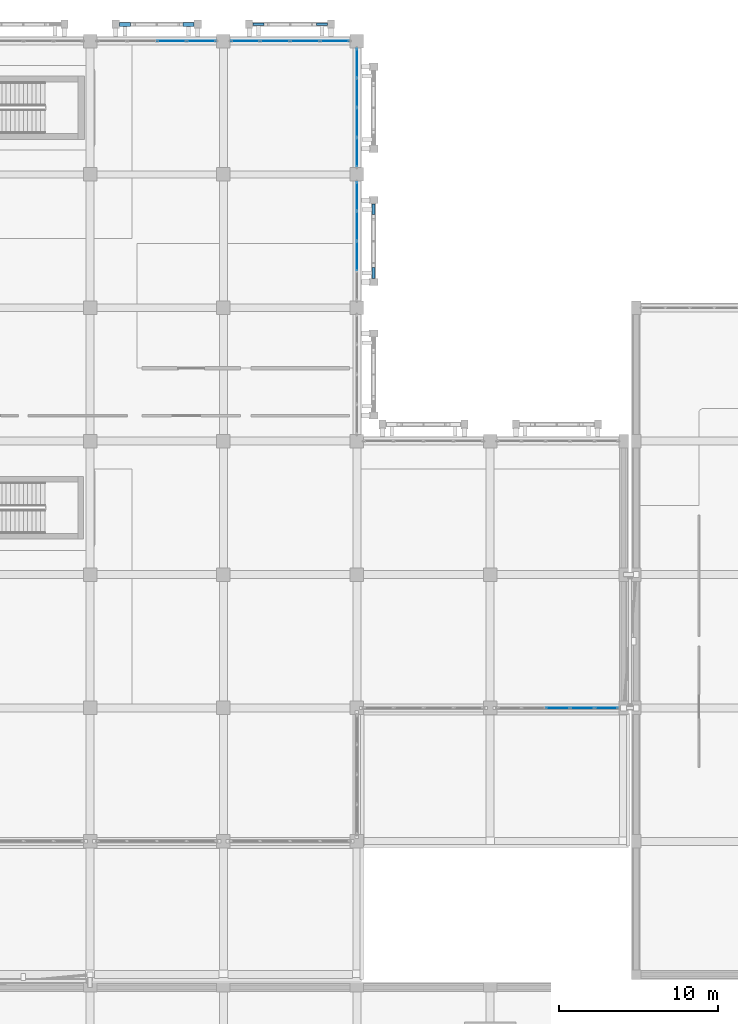
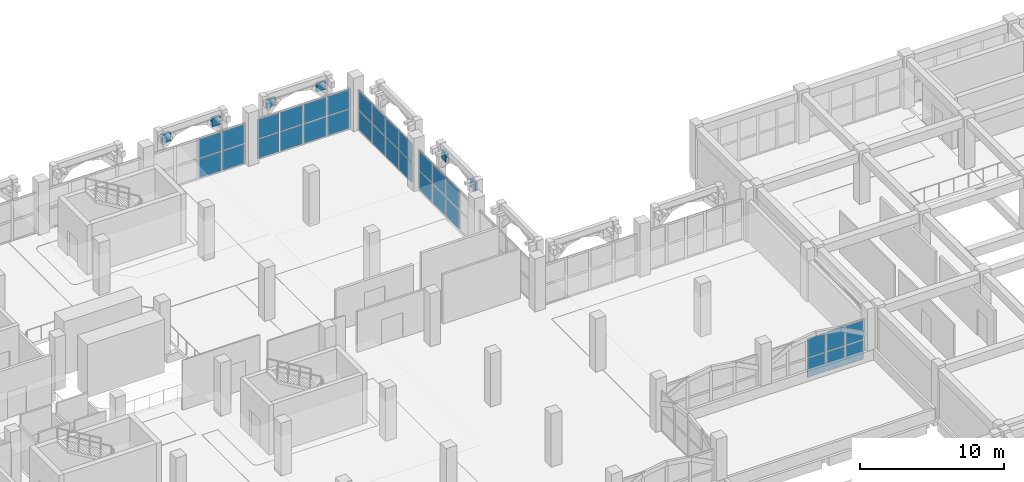
# One storey, part 98 of 129: 38 plates, 5 elements without a shape of their own.
"""IFC4 building model written with IfcOpenShell, lengths in metres."""

from ifc_helpers import new_model, si_unit, direction, frame, origin, origin_2d, place, context, subcontext, project, spatial, rectangle, extrude, material, layer, layer_set, type_object, element, aggregate, save


model = new_model("IFC4")

# Units and contexts
model_context = context("Model", 3, precision=1e-05, world=origin(), true_north=direction((0.0, 1.0)))
body_context = subcontext(model_context, "Body", "Model", "MODEL_VIEW")
ifc_project = project(units=[si_unit("LENGTHUNIT", "METRE"), si_unit("AREAUNIT", "SQUARE_METRE"), si_unit("VOLUMEUNIT", "CUBIC_METRE"), si_unit("PLANEANGLEUNIT", "RADIAN"), si_unit("MASSUNIT", "GRAM", prefix="KILO")], contexts=[model_context])

# Site, building, storey
site_placement = place(None, origin())
site = spatial("IfcSite", under=ifc_project, at=site_placement, CompositionType="ELEMENT")
building_placement = place(site_placement, origin())
building = spatial("IfcBuilding", under=site, at=building_placement, Name="Xazarin Passage Department Store", CompositionType="ELEMENT")
storey_placement = place(building_placement, frame((0.0, 0.0, 9.89990234375)))
storey = spatial("IfcBuildingStorey", under=building, at=storey_placement, Name="L02", CompositionType="ELEMENT", Elevation=9.89990234375)

# Curtain wall, plates
ifc_material_1 = material(Name="Bronze anodised aluminium", Category="aluminium")
ifc_layer_1 = layer(ifc_material_1, 0.199951171875)
ifc_layer_set_1 = layer_set([ifc_layer_1], Name="Bronze anodised aluminium")
curtain_wall_type = type_object("IfcCurtainWallType", Name="ARC-CW-VIT2", PredefinedType="NOTDEFINED", material=ifc_layer_set_1)
curtain_wall_1_placement = place(storey_placement, origin())
curtain_wall_1 = element("IfcCurtainWall", 1, at=curtain_wall_1_placement, inside=storey, type_object=curtain_wall_type, Name="L02 V1 Curtain Wall 036", PredefinedType="NOTDEFINED")
ifc_material_2 = material(Name="Low-E laminated safety glass", Category="glass")
ifc_layer_2 = layer(ifc_material_2, 0.031982421875)
ifc_layer_set_2 = layer_set([ifc_layer_2], Name="Low-E laminated safety glass")
plate_type_1 = type_object("IfcPlateType", Name="ARC-CWP-GLZ32", PredefinedType="CURTAIN_PANEL", material=ifc_layer_set_2)
plate_1_placement = place(storey_placement, frame((63.0625, 68.0, 0.0751953125), z_axis=(0.0, 0.0, 1.0), x_axis=(1.0, 0.0, 0.0)))
plate_1 = element("IfcPlate", 2, at=plate_1_placement, type_object=plate_type_1, Name="CW2 panel 3.1", PredefinedType="CURTAIN_PANEL", context=body_context, shape_type="SweptSolid", body=[
    extrude(rectangle(XDim=1.4599609375, YDim=0.031982421875, at=origin_2d()), origin(), (0.0, 0.0, 1.0), 1.612548828125),
])
plate_2_placement = place(storey_placement, frame((63.0625, 68.0, 1.7626953125), z_axis=(0.0, 0.0, 1.0), x_axis=(1.0, 0.0, 0.0)))
plate_2 = element("IfcPlate", 3, at=plate_2_placement, type_object=plate_type_1, Name="CW2 panel 3.2", PredefinedType="CURTAIN_PANEL", context=body_context, shape_type="SweptSolid", body=[
    extrude(rectangle(XDim=1.4599609375, YDim=0.031982421875, at=origin_2d()), origin(), (0.0, 0.0, 1.0), 1.612548828125),
])
plate_3_placement = place(storey_placement, frame((64.597412109375, 68.0, 0.0751953125), z_axis=(0.0, 0.0, 1.0), x_axis=(1.0, 0.0, 0.0)))
plate_3 = element("IfcPlate", 4, at=plate_3_placement, type_object=plate_type_1, Name="CW2 panel 4.1", PredefinedType="CURTAIN_PANEL", context=body_context, shape_type="SweptSolid", body=[
    extrude(rectangle(XDim=1.4599609375, YDim=0.031982421875, at=origin_2d()), origin(), (0.0, 0.0, 1.0), 1.612548828125),
])
plate_4_placement = place(storey_placement, frame((64.597412109375, 68.0, 1.7626953125), z_axis=(0.0, 0.0, 1.0), x_axis=(1.0, 0.0, 0.0)))
plate_4 = element("IfcPlate", 5, at=plate_4_placement, type_object=plate_type_1, Name="CW2 panel 4.2", PredefinedType="CURTAIN_PANEL", context=body_context, shape_type="SweptSolid", body=[
    extrude(rectangle(XDim=1.4599609375, YDim=0.031982421875, at=origin_2d()), origin(), (0.0, 0.0, 1.0), 1.612548828125),
])
plate_5_placement = place(storey_placement, frame((66.11376953125, 68.0, 0.0751953125), z_axis=(0.0, 0.0, 1.0), x_axis=(1.0, 0.0, 0.0)))
plate_5 = element("IfcPlate", 6, at=plate_5_placement, type_object=plate_type_1, Name="CW2 panel 5.1", PredefinedType="CURTAIN_PANEL", context=body_context, shape_type="SweptSolid", body=[
    extrude(rectangle(XDim=1.422607421875, YDim=0.031982421875, at=origin_2d()), origin(), (0.0, 0.0, 1.0), 1.612548828125),
])
plate_6_placement = place(storey_placement, frame((66.11376953125, 68.0, 1.7626953125), z_axis=(0.0, 0.0, 1.0), x_axis=(1.0, 0.0, 0.0)))
plate_6 = element("IfcPlate", 7, at=plate_6_placement, type_object=plate_type_1, Name="CW2 panel 5.2", PredefinedType="CURTAIN_PANEL", context=body_context, shape_type="SweptSolid", body=[
    extrude(rectangle(XDim=1.422607421875, YDim=0.031982421875, at=origin_2d()), origin(), (0.0, 0.0, 1.0), 1.612548828125),
])
aggregate(curtain_wall_1, [plate_1, plate_2, plate_3, plate_4, plate_5, plate_6])

curtain_wall_2_placement = place(storey_placement, origin())
curtain_wall_2 = element("IfcCurtainWall", 8, at=curtain_wall_2_placement, inside=storey, type_object=curtain_wall_type, Name="L02 V1 Curtain Wall 043", PredefinedType="NOTDEFINED")
plate_7_placement = place(storey_placement, frame((38.74365234375, 110.0, 0.0751953125), z_axis=(0.0, 0.0, 1.0), x_axis=(1.0, 0.0, 0.0)))
plate_7 = element("IfcPlate", 9, at=plate_7_placement, type_object=plate_type_1, Name="CW2 panel 3.1", PredefinedType="CURTAIN_PANEL", context=body_context, shape_type="SweptSolid", body=[
    extrude(rectangle(XDim=1.8125, YDim=0.031982421875, at=origin_2d()), origin(), (0.0, 0.0, 1.0), 1.612548828125),
])
plate_8_placement = place(storey_placement, frame((38.74365234375, 110.0, 1.7626953125), z_axis=(0.0, 0.0, 1.0), x_axis=(1.0, 0.0, 0.0)))
plate_8 = element("IfcPlate", 10, at=plate_8_placement, type_object=plate_type_1, Name="CW2 panel 3.2", PredefinedType="CURTAIN_PANEL", context=body_context, shape_type="SweptSolid", body=[
    extrude(rectangle(XDim=1.8125, YDim=0.031982421875, at=origin_2d()), origin(), (0.0, 0.0, 1.0), 1.612548828125),
])
plate_9_placement = place(storey_placement, frame((40.612548828125, 110.0, 0.0751953125), z_axis=(0.0, 0.0, 1.0), x_axis=(1.0, 0.0, 0.0)))
plate_9 = element("IfcPlate", 11, at=plate_9_placement, type_object=plate_type_1, Name="CW2 panel 4.1", PredefinedType="CURTAIN_PANEL", context=body_context, shape_type="SweptSolid", body=[
    extrude(rectangle(XDim=1.77490234375, YDim=0.031982421875, at=origin_2d()), origin(), (0.0, 0.0, 1.0), 1.612548828125),
])
plate_10_placement = place(storey_placement, frame((40.612548828125, 110.0, 1.7626953125), z_axis=(0.0, 0.0, 1.0), x_axis=(1.0, 0.0, 0.0)))
plate_10 = element("IfcPlate", 12, at=plate_10_placement, type_object=plate_type_1, Name="CW2 panel 4.2", PredefinedType="CURTAIN_PANEL", context=body_context, shape_type="SweptSolid", body=[
    extrude(rectangle(XDim=1.77490234375, YDim=0.031982421875, at=origin_2d()), origin(), (0.0, 0.0, 1.0), 1.612548828125),
])
aggregate(curtain_wall_2, [plate_7, plate_8, plate_9, plate_10])

curtain_wall_3_placement = place(storey_placement, origin())
curtain_wall_3 = element("IfcCurtainWall", 13, at=curtain_wall_3_placement, inside=storey, type_object=curtain_wall_type, Name="L02 V1 Curtain Wall 044", PredefinedType="NOTDEFINED")
plate_11_placement = place(storey_placement, frame((43.387451171875, 110.0, 0.0751953125), z_axis=(0.0, 0.0, 1.0), x_axis=(1.0, 0.0, 0.0)))
plate_11 = element("IfcPlate", 14, at=plate_11_placement, type_object=plate_type_1, Name="CW2 panel 1.1", PredefinedType="CURTAIN_PANEL", context=body_context, shape_type="SweptSolid", body=[
    extrude(rectangle(XDim=1.77490234375, YDim=0.031982421875, at=origin_2d()), origin(), (0.0, 0.0, 1.0), 1.612548828125),
])
plate_12_placement = place(storey_placement, frame((43.387451171875, 110.0, 1.7626953125), z_axis=(0.0, 0.0, 1.0), x_axis=(1.0, 0.0, 0.0)))
plate_12 = element("IfcPlate", 15, at=plate_12_placement, type_object=plate_type_1, Name="CW2 panel 1.2", PredefinedType="CURTAIN_PANEL", context=body_context, shape_type="SweptSolid", body=[
    extrude(rectangle(XDim=1.77490234375, YDim=0.031982421875, at=origin_2d()), origin(), (0.0, 0.0, 1.0), 1.612548828125),
])
plate_13_placement = place(storey_placement, frame((45.25634765625, 110.0, 0.0751953125), z_axis=(0.0, 0.0, 1.0), x_axis=(1.0, 0.0, 0.0)))
plate_13 = element("IfcPlate", 16, at=plate_13_placement, type_object=plate_type_1, Name="CW2 panel 2.1", PredefinedType="CURTAIN_PANEL", context=body_context, shape_type="SweptSolid", body=[
    extrude(rectangle(XDim=1.8125, YDim=0.031982421875, at=origin_2d()), origin(), (0.0, 0.0, 1.0), 1.612548828125),
])
plate_14_placement = place(storey_placement, frame((45.25634765625, 110.0, 1.7626953125), z_axis=(0.0, 0.0, 1.0), x_axis=(1.0, 0.0, 0.0)))
plate_14 = element("IfcPlate", 17, at=plate_14_placement, type_object=plate_type_1, Name="CW2 panel 2.2", PredefinedType="CURTAIN_PANEL", context=body_context, shape_type="SweptSolid", body=[
    extrude(rectangle(XDim=1.8125, YDim=0.031982421875, at=origin_2d()), origin(), (0.0, 0.0, 1.0), 1.612548828125),
])
plate_15_placement = place(storey_placement, frame((47.143798828125, 110.0, 0.0751953125), z_axis=(0.0, 0.0, 1.0), x_axis=(1.0, 0.0, 0.0)))
plate_15 = element("IfcPlate", 18, at=plate_15_placement, type_object=plate_type_1, Name="CW2 panel 3.1", PredefinedType="CURTAIN_PANEL", context=body_context, shape_type="SweptSolid", body=[
    extrude(rectangle(XDim=1.8125, YDim=0.031982421875, at=origin_2d()), origin(), (0.0, 0.0, 1.0), 1.612548828125),
])
plate_16_placement = place(storey_placement, frame((47.143798828125, 110.0, 1.7626953125), z_axis=(0.0, 0.0, 1.0), x_axis=(1.0, 0.0, 0.0)))
plate_16 = element("IfcPlate", 19, at=plate_16_placement, type_object=plate_type_1, Name="CW2 panel 3.2", PredefinedType="CURTAIN_PANEL", context=body_context, shape_type="SweptSolid", body=[
    extrude(rectangle(XDim=1.8125, YDim=0.031982421875, at=origin_2d()), origin(), (0.0, 0.0, 1.0), 1.612548828125),
])
plate_17_placement = place(storey_placement, frame((49.012451171875, 110.0, 0.0751953125), z_axis=(0.0, 0.0, 1.0), x_axis=(1.0, 0.0, 0.0)))
plate_17 = element("IfcPlate", 20, at=plate_17_placement, type_object=plate_type_1, Name="CW2 panel 4.1", PredefinedType="CURTAIN_PANEL", context=body_context, shape_type="SweptSolid", body=[
    extrude(rectangle(XDim=1.77490234375, YDim=0.031982421875, at=origin_2d()), origin(), (0.0, 0.0, 1.0), 1.612548828125),
])
plate_18_placement = place(storey_placement, frame((49.012451171875, 110.0, 1.7626953125), z_axis=(0.0, 0.0, 1.0), x_axis=(1.0, 0.0, 0.0)))
plate_18 = element("IfcPlate", 21, at=plate_18_placement, type_object=plate_type_1, Name="CW2 panel 4.2", PredefinedType="CURTAIN_PANEL", context=body_context, shape_type="SweptSolid", body=[
    extrude(rectangle(XDim=1.77490234375, YDim=0.031982421875, at=origin_2d()), origin(), (0.0, 0.0, 1.0), 1.612548828125),
])
aggregate(curtain_wall_3, [plate_11, plate_12, plate_13, plate_14, plate_15, plate_16, plate_17, plate_18])

curtain_wall_4_placement = place(storey_placement, origin())
curtain_wall_4 = element("IfcCurtainWall", 22, at=curtain_wall_4_placement, inside=storey, type_object=curtain_wall_type, Name="L02 V1 Curtain Wall 053", PredefinedType="NOTDEFINED")
plate_19_placement = place(storey_placement, frame((50.39990234375, 96.456298828125, 0.0751953125), z_axis=(0.0, 0.0, 1.0), x_axis=(0.0, 1.0, 0.0)))
plate_19 = element("IfcPlate", 23, at=plate_19_placement, type_object=plate_type_1, Name="CW2 panel 2.1", PredefinedType="CURTAIN_PANEL", context=body_context, shape_type="SweptSolid", body=[
    extrude(rectangle(XDim=1.8125, YDim=0.031982421875, at=origin_2d()), origin(), (0.0, 0.0, 1.0), 1.612548828125),
])
plate_20_placement = place(storey_placement, frame((50.39990234375, 96.456298828125, 1.7626953125), z_axis=(0.0, 0.0, 1.0), x_axis=(0.0, 1.0, 0.0)))
plate_20 = element("IfcPlate", 24, at=plate_20_placement, type_object=plate_type_1, Name="CW2 panel 2.2", PredefinedType="CURTAIN_PANEL", context=body_context, shape_type="SweptSolid", body=[
    extrude(rectangle(XDim=1.8125, YDim=0.031982421875, at=origin_2d()), origin(), (0.0, 0.0, 1.0), 1.612548828125),
])
plate_21_placement = place(storey_placement, frame((50.39990234375, 98.34375, 0.0751953125), z_axis=(0.0, 0.0, 1.0), x_axis=(0.0, 1.0, 0.0)))
plate_21 = element("IfcPlate", 25, at=plate_21_placement, type_object=plate_type_1, Name="CW2 panel 3.1", PredefinedType="CURTAIN_PANEL", context=body_context, shape_type="SweptSolid", body=[
    extrude(rectangle(XDim=1.8125, YDim=0.031982421875, at=origin_2d()), origin(), (0.0, 0.0, 1.0), 1.612548828125),
])
plate_22_placement = place(storey_placement, frame((50.39990234375, 98.34375, 1.7626953125), z_axis=(0.0, 0.0, 1.0), x_axis=(0.0, 1.0, 0.0)))
plate_22 = element("IfcPlate", 26, at=plate_22_placement, type_object=plate_type_1, Name="CW2 panel 3.2", PredefinedType="CURTAIN_PANEL", context=body_context, shape_type="SweptSolid", body=[
    extrude(rectangle(XDim=1.8125, YDim=0.031982421875, at=origin_2d()), origin(), (0.0, 0.0, 1.0), 1.612548828125),
])
plate_23_placement = place(storey_placement, frame((50.39990234375, 100.21240234375, 0.0751953125), z_axis=(0.0, 0.0, 1.0), x_axis=(0.0, 1.0, 0.0)))
plate_23 = element("IfcPlate", 27, at=plate_23_placement, type_object=plate_type_1, Name="CW2 panel 4.1", PredefinedType="CURTAIN_PANEL", context=body_context, shape_type="SweptSolid", body=[
    extrude(rectangle(XDim=1.77490234375, YDim=0.031982421875, at=origin_2d()), origin(), (0.0, 0.0, 1.0), 1.612548828125),
])
plate_24_placement = place(storey_placement, frame((50.39990234375, 100.21240234375, 1.7626953125), z_axis=(0.0, 0.0, 1.0), x_axis=(0.0, 1.0, 0.0)))
plate_24 = element("IfcPlate", 28, at=plate_24_placement, type_object=plate_type_1, Name="CW2 panel 4.2", PredefinedType="CURTAIN_PANEL", context=body_context, shape_type="SweptSolid", body=[
    extrude(rectangle(XDim=1.77490234375, YDim=0.031982421875, at=origin_2d()), origin(), (0.0, 0.0, 1.0), 1.612548828125),
])
aggregate(curtain_wall_4, [plate_19, plate_20, plate_21, plate_22, plate_23, plate_24])

curtain_wall_5_placement = place(storey_placement, origin())
curtain_wall_5 = element("IfcCurtainWall", 29, at=curtain_wall_5_placement, inside=storey, type_object=curtain_wall_type, Name="L02 V1 Curtain Wall 054", PredefinedType="NOTDEFINED")
plate_25_placement = place(storey_placement, frame((50.39990234375, 102.987548828125, 0.0751953125), z_axis=(0.0, 0.0, 1.0), x_axis=(0.0, 1.0, 0.0)))
plate_25 = element("IfcPlate", 30, at=plate_25_placement, type_object=plate_type_1, Name="CW2 panel 1.1", PredefinedType="CURTAIN_PANEL", context=body_context, shape_type="SweptSolid", body=[
    extrude(rectangle(XDim=1.77490234375, YDim=0.031982421875, at=origin_2d()), origin(), (0.0, 0.0, 1.0), 1.612548828125),
])
plate_26_placement = place(storey_placement, frame((50.39990234375, 102.987548828125, 1.7626953125), z_axis=(0.0, 0.0, 1.0), x_axis=(0.0, 1.0, 0.0)))
plate_26 = element("IfcPlate", 31, at=plate_26_placement, type_object=plate_type_1, Name="CW2 panel 1.2", PredefinedType="CURTAIN_PANEL", context=body_context, shape_type="SweptSolid", body=[
    extrude(rectangle(XDim=1.77490234375, YDim=0.031982421875, at=origin_2d()), origin(), (0.0, 0.0, 1.0), 1.612548828125),
])
plate_27_placement = place(storey_placement, frame((50.39990234375, 104.856201171875, 0.0751953125), z_axis=(0.0, 0.0, 1.0), x_axis=(0.0, 1.0, 0.0)))
plate_27 = element("IfcPlate", 32, at=plate_27_placement, type_object=plate_type_1, Name="CW2 panel 2.1", PredefinedType="CURTAIN_PANEL", context=body_context, shape_type="SweptSolid", body=[
    extrude(rectangle(XDim=1.8125, YDim=0.031982421875, at=origin_2d()), origin(), (0.0, 0.0, 1.0), 1.612548828125),
])
plate_28_placement = place(storey_placement, frame((50.39990234375, 104.856201171875, 1.7626953125), z_axis=(0.0, 0.0, 1.0), x_axis=(0.0, 1.0, 0.0)))
plate_28 = element("IfcPlate", 33, at=plate_28_placement, type_object=plate_type_1, Name="CW2 panel 2.2", PredefinedType="CURTAIN_PANEL", context=body_context, shape_type="SweptSolid", body=[
    extrude(rectangle(XDim=1.8125, YDim=0.031982421875, at=origin_2d()), origin(), (0.0, 0.0, 1.0), 1.612548828125),
])
plate_29_placement = place(storey_placement, frame((50.39990234375, 106.74365234375, 0.0751953125), z_axis=(0.0, 0.0, 1.0), x_axis=(0.0, 1.0, 0.0)))
plate_29 = element("IfcPlate", 34, at=plate_29_placement, type_object=plate_type_1, Name="CW2 panel 3.1", PredefinedType="CURTAIN_PANEL", context=body_context, shape_type="SweptSolid", body=[
    extrude(rectangle(XDim=1.8125, YDim=0.031982421875, at=origin_2d()), origin(), (0.0, 0.0, 1.0), 1.612548828125),
])
plate_30_placement = place(storey_placement, frame((50.39990234375, 106.74365234375, 1.7626953125), z_axis=(0.0, 0.0, 1.0), x_axis=(0.0, 1.0, 0.0)))
plate_30 = element("IfcPlate", 35, at=plate_30_placement, type_object=plate_type_1, Name="CW2 panel 3.2", PredefinedType="CURTAIN_PANEL", context=body_context, shape_type="SweptSolid", body=[
    extrude(rectangle(XDim=1.8125, YDim=0.031982421875, at=origin_2d()), origin(), (0.0, 0.0, 1.0), 1.612548828125),
])
plate_31_placement = place(storey_placement, frame((50.39990234375, 108.612548828125, 0.0751953125), z_axis=(0.0, 0.0, 1.0), x_axis=(0.0, 1.0, 0.0)))
plate_31 = element("IfcPlate", 36, at=plate_31_placement, type_object=plate_type_1, Name="CW2 panel 4.1", PredefinedType="CURTAIN_PANEL", context=body_context, shape_type="SweptSolid", body=[
    extrude(rectangle(XDim=1.77490234375, YDim=0.031982421875, at=origin_2d()), origin(), (0.0, 0.0, 1.0), 1.612548828125),
])
plate_32_placement = place(storey_placement, frame((50.39990234375, 108.612548828125, 1.7626953125), z_axis=(0.0, 0.0, 1.0), x_axis=(0.0, 1.0, 0.0)))
plate_32 = element("IfcPlate", 37, at=plate_32_placement, type_object=plate_type_1, Name="CW2 panel 4.2", PredefinedType="CURTAIN_PANEL", context=body_context, shape_type="SweptSolid", body=[
    extrude(rectangle(XDim=1.77490234375, YDim=0.031982421875, at=origin_2d()), origin(), (0.0, 0.0, 1.0), 1.612548828125),
])
aggregate(curtain_wall_5, [plate_25, plate_26, plate_27, plate_28, plate_29, plate_30, plate_31, plate_32])

# Plates
ifc_material_3 = material(Name="Precast concrete C40/50", Category="concrete")
ifc_layer_3 = layer(ifc_material_3, 0.159912109375)
ifc_layer_set_3 = layer_set([ifc_layer_3], Name="Precast concrete C40/50")
plate_type_2 = type_object("IfcPlateType", Name="ARC-PLT-SCR-09", PredefinedType="USERDEFINED", material=ifc_layer_set_3)
for number, where, z_axis, x_axis, name in (
    (38, (44.199951171875, 111.050048828125, 3.26025390625), (0.0, 0.0, 1.0), (1.0, 0.0, 0.0), "L02 V1 Arch Spandrel Tympanum 0049"),
    (39, (48.199951171875, 111.050048828125, 3.26025390625), (0.0, 0.0, 1.0), (1.0, 0.0, 0.0), "L02 V1 Arch Spandrel Tympanum 0050"),
):
    element("IfcPlate", number, at=place(storey_placement, frame(where, z_axis=z_axis, x_axis=x_axis)), inside=storey, type_object=plate_type_2, Name=name, ObjectType="SCREEN PANEL", PredefinedType="USERDEFINED", context=body_context, shape_type="SweptSolid", body=[
        extrude(rectangle(XDim=0.679931640625, YDim=0.159912109375, at=origin_2d()), origin(), (0.0, 0.0, 1.0), 0.719970703125),
    ])
ifc_layer_4 = layer(ifc_material_3, 0.199951171875)
ifc_layer_set_4 = layer_set([ifc_layer_4], Name="Precast concrete C40/50")
plate_type_3 = type_object("IfcPlateType", Name="ARC-PLT-SCR-13", PredefinedType="USERDEFINED", material=ifc_layer_set_4)
for number, where, z_axis, x_axis, name in (
    (40, (51.449951171875, 95.39990234375, 3.26025390625), (0.0, 0.0, 1.0), (0.0, 1.0, 0.0), "L02 V1 Arch Spandrel Tympanum 0153"),
    (41, (51.449951171875, 99.39990234375, 3.26025390625), (0.0, 0.0, 1.0), (0.0, 1.0, 0.0), "L02 V1 Arch Spandrel Tympanum 0154"),
):
    element("IfcPlate", number, at=place(storey_placement, frame(where, z_axis=z_axis, x_axis=x_axis)), inside=storey, type_object=plate_type_3, Name=name, ObjectType="SCREEN PANEL", PredefinedType="USERDEFINED", context=body_context, shape_type="SweptSolid", body=[
        extrude(rectangle(XDim=0.679931640625, YDim=0.199951171875, at=origin_2d()), origin(), (0.0, 0.0, 1.0), 0.719970703125),
    ])
ifc_layer_5 = layer(ifc_material_3, 0.239990234375)
ifc_layer_set_5 = layer_set([ifc_layer_5], Name="Precast concrete C40/50")
plate_type_4 = type_object("IfcPlateType", Name="ARC-PLT-SCR-17", PredefinedType="USERDEFINED", material=ifc_layer_set_5)
for number, where, z_axis, x_axis, name in (
    (42, (35.800048828125, 111.050048828125, 3.26025390625), (0.0, 0.0, 1.0), (1.0, 0.0, 0.0), "L02 V1 Arch Spandrel Tympanum 0037"),
    (43, (39.800048828125, 111.050048828125, 3.26025390625), (0.0, 0.0, 1.0), (1.0, 0.0, 0.0), "L02 V1 Arch Spandrel Tympanum 0038"),
):
    element("IfcPlate", number, at=place(storey_placement, frame(where, z_axis=z_axis, x_axis=x_axis)), inside=storey, type_object=plate_type_4, Name=name, ObjectType="SCREEN PANEL", PredefinedType="USERDEFINED", context=body_context, shape_type="SweptSolid", body=[
        extrude(rectangle(XDim=0.679931640625, YDim=0.239990234375, at=origin_2d()), origin(), (0.0, 0.0, 1.0), 0.719970703125),
    ])

save(model, "model.ifc")
